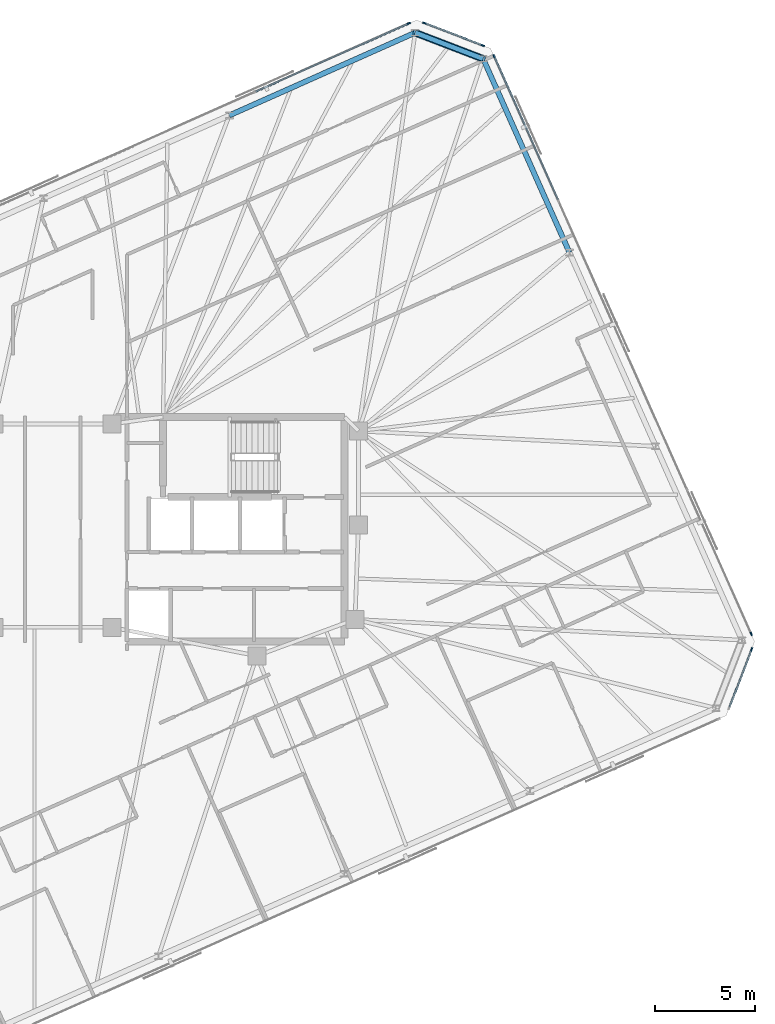
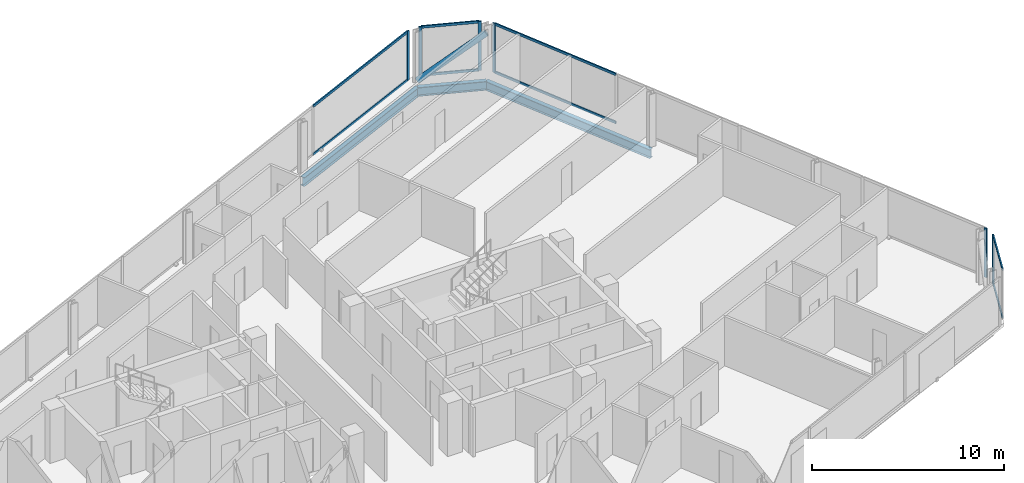
# One storey, part 11 of 19: 15 members, 3 beams, 4 elements without a shape of their own.
"""IFC4 building model written with IfcOpenShell, lengths in metres."""

from ifc_helpers import new_model, si_unit, direction, frame, origin, origin_2d, place, context, subcontext, project, spatial, rectangle, hollow_circle, i_section, extrude, material, material_profile, profile_set, type_object, element, aggregate, save


model = new_model("IFC4")

# Units and contexts
model_context = context("Model", 3, precision=1e-05, world=origin(), true_north=direction((0.0, 1.0)))
body_context = subcontext(model_context, "Body", "Model", "MODEL_VIEW")
ifc_project = project(units=[si_unit("LENGTHUNIT", "METRE"), si_unit("AREAUNIT", "SQUARE_METRE"), si_unit("VOLUMEUNIT", "CUBIC_METRE"), si_unit("PLANEANGLEUNIT", "RADIAN"), si_unit("MASSUNIT", "GRAM", prefix="KILO")], contexts=[model_context])

# Site, building, storey
site_placement = place(None, origin())
site = spatial("IfcSite", under=ifc_project, at=site_placement, CompositionType="ELEMENT")
building_placement = place(site_placement, origin())
building = spatial("IfcBuilding", under=site, at=building_placement, Name="Menara Jurai Vektor", CompositionType="ELEMENT")
storey_placement = place(building_placement, frame((0.0, 0.0, 295.300048828125)))
storey = spatial("IfcBuildingStorey", under=building, at=storey_placement, Name="L79", CompositionType="ELEMENT", Elevation=295.300048828125)

# Curtain wall, member
ifc_material_1 = material(Name="Anodised Pale Aluminium & Low-E Double Glazing", Category="aluminium")
curtain_wall_type = type_object("IfcCurtainWallType", Name="CW-BLK5", PredefinedType="NOTDEFINED", material=ifc_material_1)
curtain_wall_1_placement = place(storey_placement, origin())
curtain_wall_1 = element("IfcCurtainWall", 1, at=curtain_wall_1_placement, inside=storey, type_object=curtain_wall_type, Name="Unitised Curtain Wall L79 F02", PredefinedType="NOTDEFINED")
ifc_material_2 = material(Name="Anodised Pale Aluminium Mullion", Category="aluminium")
ifc_material_profile_1 = material_profile(ifc_material_2, rectangle(XDim=0.074951171875, YDim=0.175048828125, at=origin_2d()), Name="ALU MUL 75x175")
ifc_profile_set_1 = profile_set([ifc_material_profile_1], Name="Anodised Pale Aluminium Mullion")
member_type_1 = type_object("IfcMemberType", Name="CW-BLK5-MUL", PredefinedType="MULLION", material=ifc_profile_set_1)
member_1_placement = place(storey_placement, frame((34.87548828125, -5.997314453125, 0.0), z_axis=(0.0, 0.0, 1.0), x_axis=(-0.933578193639, 0.358373766287, 0.0)))
member_1 = element("IfcMember", 2, at=member_1_placement, type_object=member_type_1, Name="CW-05 mullion 2", PredefinedType="MULLION", context=body_context, shape_type="SweptSolid", body=[
    extrude(rectangle(XDim=0.074951171875, YDim=0.175048828125, at=origin_2d()), origin(), (0.0, 0.0, 1.0), 3.125),
])

# Curtain wall, members
curtain_wall_2_placement = place(storey_placement, origin())
curtain_wall_2 = element("IfcCurtainWall", 3, at=curtain_wall_2_placement, inside=storey, type_object=curtain_wall_type, Name="Unitised Curtain Wall L79 F03", PredefinedType="NOTDEFINED")
member_2_placement = place(storey_placement, frame((34.85546875, -5.22607421875, 0.0), z_axis=(0.0, 0.0, 1.0), x_axis=(-0.913546127706, -0.406735138086, 0.0)))
member_2 = element("IfcMember", 4, at=member_2_placement, type_object=member_type_1, Name="CW-05 mullion 1", PredefinedType="MULLION", context=body_context, shape_type="SweptSolid", body=[
    extrude(rectangle(XDim=0.074951171875, YDim=0.175048828125, at=origin_2d()), origin(), (0.0, 0.0, 1.0), 3.125),
])
member_3_placement = place(storey_placement, frame((22.016845703125, 23.610107421875, 0.0), z_axis=(0.0, 0.0, 1.0), x_axis=(-0.913546127706, -0.406735138086, 0.0)))
member_3 = element("IfcMember", 5, at=member_3_placement, type_object=member_type_1, Name="CW-05 mullion 5", PredefinedType="MULLION", context=body_context, shape_type="SweptSolid", body=[
    extrude(rectangle(XDim=0.074951171875, YDim=0.175048828125, at=origin_2d()), origin(), (0.0, 0.0, 1.0), 3.125),
])

curtain_wall_3_placement = place(storey_placement, origin())
curtain_wall_3 = element("IfcCurtainWall", 6, at=curtain_wall_3_placement, inside=storey, type_object=curtain_wall_type, Name="Unitised Curtain Wall L79 F04", PredefinedType="NOTDEFINED")
member_4_placement = place(storey_placement, frame((21.45703125, 24.14111328125, 0.0), z_axis=(0.0, 0.0, 1.0), x_axis=(-0.358373766287, -0.933578193639, 0.0)))
member_4 = element("IfcMember", 7, at=member_4_placement, type_object=member_type_1, Name="CW-05 mullion 1", PredefinedType="MULLION", context=body_context, shape_type="SweptSolid", body=[
    extrude(rectangle(XDim=0.074951171875, YDim=0.175048828125, at=origin_2d()), origin(), (0.0, 0.0, 1.0), 3.125),
])
member_5_placement = place(storey_placement, frame((18.539794921875, 25.2607421875, 0.0), z_axis=(0.0, 0.0, 1.0), x_axis=(-0.358373766287, -0.933578193639, 0.0)))
member_5 = element("IfcMember", 8, at=member_5_placement, type_object=member_type_1, Name="CW-05 mullion 2", PredefinedType="MULLION", context=body_context, shape_type="SweptSolid", body=[
    extrude(rectangle(XDim=0.074951171875, YDim=0.175048828125, at=origin_2d()), origin(), (0.0, 0.0, 1.0), 3.125),
])

# Curtain wall, member
curtain_wall_4_placement = place(storey_placement, origin())
curtain_wall_4 = element("IfcCurtainWall", 9, at=curtain_wall_4_placement, inside=storey, type_object=curtain_wall_type, Name="Unitised Curtain Wall L79 F05", PredefinedType="NOTDEFINED")
member_6_placement = place(storey_placement, frame((17.768798828125, 25.24072265625, 0.0), z_axis=(0.0, 0.0, 1.0), x_axis=(0.406735498684, -0.913545967158, 0.0)))
member_6 = element("IfcMember", 10, at=member_6_placement, type_object=member_type_1, Name="CW-05 mullion 1", PredefinedType="MULLION", context=body_context, shape_type="SweptSolid", body=[
    extrude(rectangle(XDim=0.074951171875, YDim=0.175048828125, at=origin_2d()), origin(), (0.0, 0.0, 1.0), 3.125),
])

# Member
ifc_material_3 = material(Name="Anodised Pale Aluminium Transom", Category="aluminium")
ifc_material_profile_2 = material_profile(ifc_material_3, rectangle(XDim=0.074951171875, YDim=0.155029296875, at=origin_2d()), Name="ALU TRN 75x155")
ifc_profile_set_2 = profile_set([ifc_material_profile_2], Name="Anodised Pale Aluminium Transom")
member_type_2 = type_object("IfcMemberType", Name="CW-BLK5-TRN", PredefinedType="USERDEFINED", material=ifc_profile_set_2)
member_7_placement = place(storey_placement, frame((33.769287109375, -8.87939453125, 0.037353515625), z_axis=(0.358324523823, 0.933597094911, 0.0), x_axis=(-0.933597094911, 0.358324523823, 0.0)))
member_7 = element("IfcMember", 11, at=member_7_placement, type_object=member_type_2, Name="CW-05 transom 1.1", ObjectType="TRANSOM", PredefinedType="USERDEFINED", context=body_context, shape_type="SweptSolid", body=[
    extrude(rectangle(XDim=0.074951171875, YDim=0.155029296875, at=origin_2d()), origin(), (0.0, 0.0, 1.0), 3.049560546875),
])

member_8_placement = place(storey_placement, frame((33.769287109375, -8.87939453125, 3.08740234375), z_axis=(0.358324523823, 0.933597094911, 0.0), x_axis=(-0.933597094911, 0.358324523823, 0.0)))
member_8 = element("IfcMember", 12, at=member_8_placement, type_object=member_type_2, Name="CW-05 transom 1.2", ObjectType="TRANSOM", PredefinedType="USERDEFINED", context=body_context, shape_type="SweptSolid", body=[
    extrude(rectangle(XDim=0.074951171875, YDim=0.155029296875, at=origin_2d()), origin(), (0.0, 0.0, 1.0), 3.049560546875),
])

aggregate(curtain_wall_1, [member_1, member_7, member_8])

member_9_placement = place(storey_placement, frame((25.20361328125, 16.452392578125, 0.037353515625), z_axis=(-0.406751345283, 0.913538911656, 0.0), x_axis=(-0.913538911656, -0.406751345283, 0.0)))
member_9 = element("IfcMember", 13, at=member_9_placement, type_object=member_type_2, Name="CW-05 transom 4.1", ObjectType="TRANSOM", PredefinedType="USERDEFINED", context=body_context, shape_type="SweptSolid", body=[
    extrude(rectangle(XDim=0.074951171875, YDim=0.155029296875, at=origin_2d()), origin(), (0.0, 0.0, 1.0), 7.79736328125),
])

member_10_placement = place(storey_placement, frame((25.20361328125, 16.452392578125, 3.08740234375), z_axis=(-0.406751345283, 0.913538911656, 0.0), x_axis=(-0.913538911656, -0.406751345283, 0.0)))
member_10 = element("IfcMember", 14, at=member_10_placement, type_object=member_type_2, Name="CW-05 transom 4.2", ObjectType="TRANSOM", PredefinedType="USERDEFINED", context=body_context, shape_type="SweptSolid", body=[
    extrude(rectangle(XDim=0.074951171875, YDim=0.155029296875, at=origin_2d()), origin(), (0.0, 0.0, 1.0), 7.79736328125),
])

aggregate(curtain_wall_2, [member_2, member_3, member_9, member_10])

member_11_placement = place(storey_placement, frame((21.422119140625, 24.154541015625, 0.037353515625), z_axis=(-0.933597094911, 0.358324523823, 0.0), x_axis=(-0.358324523823, -0.933597094911, 0.0)))
member_11 = element("IfcMember", 15, at=member_11_placement, type_object=member_type_2, Name="CW-05 transom 1.1", ObjectType="TRANSOM", PredefinedType="USERDEFINED", context=body_context, shape_type="SweptSolid", body=[
    extrude(rectangle(XDim=0.074951171875, YDim=0.155029296875, at=origin_2d()), origin(), (0.0, 0.0, 1.0), 3.049560546875),
])

member_12_placement = place(storey_placement, frame((21.422119140625, 24.154541015625, 3.08740234375), z_axis=(-0.933597094911, 0.358324523823, 0.0), x_axis=(-0.358324523823, -0.933597094911, 0.0)))
member_12 = element("IfcMember", 16, at=member_12_placement, type_object=member_type_2, Name="CW-05 transom 1.2", ObjectType="TRANSOM", PredefinedType="USERDEFINED", context=body_context, shape_type="SweptSolid", body=[
    extrude(rectangle(XDim=0.074951171875, YDim=0.155029296875, at=origin_2d()), origin(), (0.0, 0.0, 1.0), 3.049560546875),
])

aggregate(curtain_wall_3, [member_4, member_5, member_11, member_12])

member_13_placement = place(storey_placement, frame((17.734375, 25.225341796875, 0.037353515625), z_axis=(-0.913549007168, -0.406728670618, 0.0), x_axis=(0.406728670618, -0.913549007168, 0.0)))
member_13 = element("IfcMember", 17, at=member_13_placement, type_object=member_type_2, Name="CW-05 transom 1.1", ObjectType="TRANSOM", PredefinedType="USERDEFINED", context=body_context, shape_type="SweptSolid", body=[
    extrude(rectangle(XDim=0.074951171875, YDim=0.155029296875, at=origin_2d()), origin(), (0.0, 0.0, 1.0), 8.327392578125),
])

member_14_placement = place(storey_placement, frame((17.734375, 25.225341796875, 3.08740234375), z_axis=(-0.913549007168, -0.406728670618, 0.0), x_axis=(0.406728670618, -0.913549007168, 0.0)))
member_14 = element("IfcMember", 18, at=member_14_placement, type_object=member_type_2, Name="CW-05 transom 1.2", ObjectType="TRANSOM", PredefinedType="USERDEFINED", context=body_context, shape_type="SweptSolid", body=[
    extrude(rectangle(XDim=0.074951171875, YDim=0.155029296875, at=origin_2d()), origin(), (0.0, 0.0, 1.0), 8.327392578125),
])

aggregate(curtain_wall_4, [member_6, member_13, member_14])

ifc_material_4 = material(Name="Steel S460", Category="steel")
ifc_material_profile_3 = material_profile(ifc_material_4, hollow_circle(Radius=0.177734375, WallThickness=0.01611328125, at=origin_2d()), Name="CHS 355.6x16")
ifc_profile_set_3 = profile_set([ifc_material_profile_3], Name="Steel S460")
member_type_3 = type_object("IfcMemberType", Name="STR-BR-356", PredefinedType="BRACE", material=ifc_profile_set_3)
member_15_placement = place(storey_placement, frame((18.07958984375, 24.777099609375, 0.14990234375), z_axis=(0.757042028889, -0.2906257681, 0.585170085882), x_axis=(0.358394346877, 0.933570293083, 0.0)))
element("IfcMember", 19, at=member_15_placement, inside=storey, type_object=member_type_3, Name="Exoskeleton Corner Brace L79-2", PredefinedType="BRACE", context=body_context, shape_type="SweptSolid", body=[
    extrude(hollow_circle(Radius=0.177734375, WallThickness=0.01611328125, at=origin_2d()), origin(), (0.0, 0.0, 1.0), 4.48583984375),
])

# Beams
ifc_material_5 = material(Name="Steel S355", Category="steel")
ifc_material_profile_4 = material_profile(ifc_material_5, i_section(OverallWidth=0.260009765625, OverallDepth=0.570068359375, WebThickness=0.013916015625, FlangeThickness=0.02392578125, at=origin_2d()), Name="PG 570x260x145")
ifc_profile_set_4 = profile_set([ifc_material_profile_4], Name="Steel S355")
beam_type = type_object("IfcBeamType", Name="STR-SP-570", PredefinedType="SPANDREL", material=ifc_profile_set_4)
beam_1_placement = place(storey_placement, frame((25.781005859375, 13.80322265625, -0.510009765625), z_axis=(-0.40673543049, 0.91354599752, 0.0), x_axis=(-0.91354599752, -0.40673543049, 0.0)))
element("IfcBeam", 20, at=beam_1_placement, inside=storey, type_object=beam_type, Name="Exoskeleton Spandrel Beam L79-09", PredefinedType="SPANDREL", context=body_context, shape_type="SweptSolid", body=[
    extrude(i_section(OverallWidth=0.260009765625, OverallDepth=0.570068359375, WebThickness=0.013916015625, FlangeThickness=0.02392578125, at=origin_2d()), origin(), (0.0, 0.0, 1.0), 10.585205078125),
])
beam_2_placement = place(storey_placement, frame((21.4755859375, 23.473388671875, -0.510009765625), z_axis=(-0.933570293083, 0.358394346877, 0.0), x_axis=(-0.358394346877, -0.933570293083, 0.0)))
element("IfcBeam", 21, at=beam_2_placement, inside=storey, type_object=beam_type, Name="Exoskeleton Spandrel Beam L79-10", PredefinedType="SPANDREL", context=body_context, shape_type="SweptSolid", body=[
    extrude(i_section(OverallWidth=0.260009765625, OverallDepth=0.570068359375, WebThickness=0.013916015625, FlangeThickness=0.02392578125, at=origin_2d()), origin(), (0.0, 0.0, 1.0), 3.6376953125),
])
beam_3_placement = place(storey_placement, frame((18.07958984375, 24.777099609375, -0.510009765625), z_axis=(-0.913545561407, -0.406736410017, 0.0), x_axis=(0.406736410017, -0.913545561407, 0.0)))
element("IfcBeam", 22, at=beam_3_placement, inside=storey, type_object=beam_type, Name="Exoskeleton Spandrel Beam L79-11", PredefinedType="SPANDREL", context=body_context, shape_type="SweptSolid", body=[
    extrude(i_section(OverallWidth=0.260009765625, OverallDepth=0.570068359375, WebThickness=0.013916015625, FlangeThickness=0.02392578125, at=origin_2d()), origin(), (0.0, 0.0, 1.0), 10.1513671875),
])

save(model, "model.ifc")
